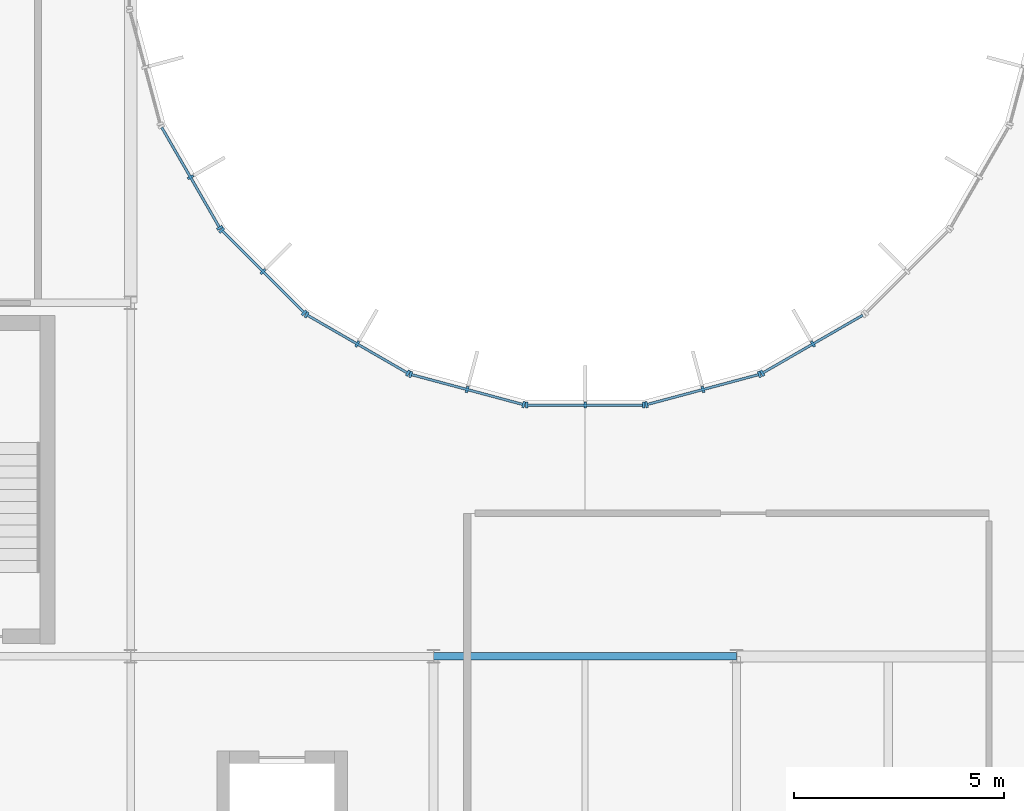
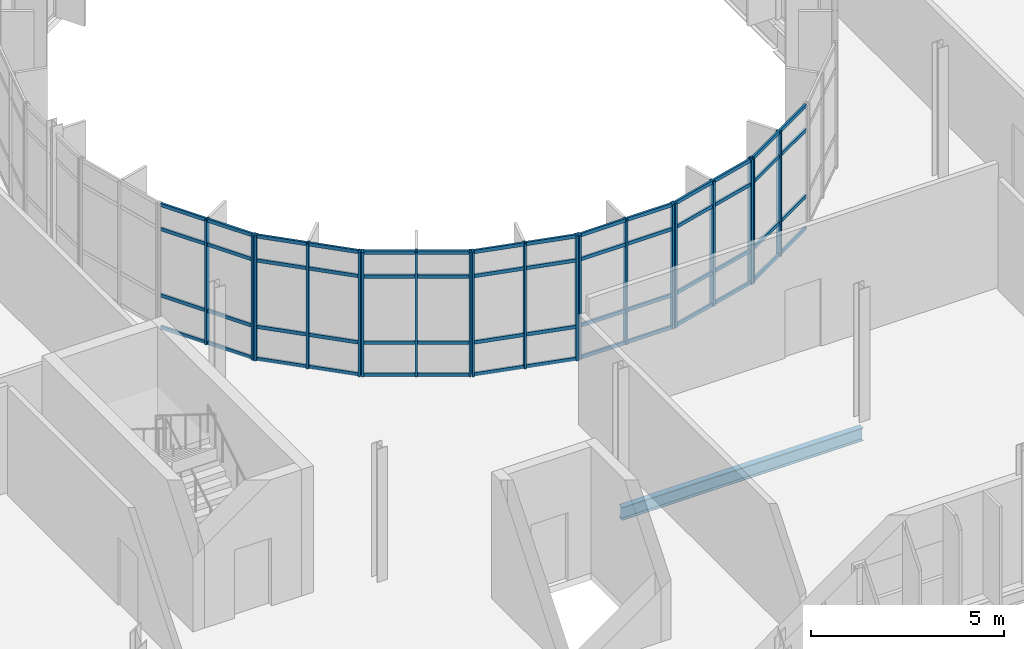
# One storey, part 20 of 61: 47 members, 1 beam, 7 elements without a shape of their own.
"""IFC4 building model written with IfcOpenShell, lengths in metres."""

from ifc_helpers import new_model, si_unit, direction, frame, origin, origin_2d, place, context, subcontext, project, spatial, rectangle, i_section, extrude, material, material_profile, profile_set, type_object, element, aggregate, save


model = new_model("IFC4")

# Units and contexts
model_context = context("Model", 3, precision=1e-05, world=origin(), true_north=direction((0.0, 1.0)))
body_context = subcontext(model_context, "Body", "Model", "MODEL_VIEW")
ifc_project = project(units=[si_unit("LENGTHUNIT", "METRE"), si_unit("AREAUNIT", "SQUARE_METRE"), si_unit("VOLUMEUNIT", "CUBIC_METRE"), si_unit("PLANEANGLEUNIT", "RADIAN"), si_unit("MASSUNIT", "GRAM", prefix="KILO")], contexts=[model_context])

# Site, building, storey
site_placement = place(None, origin())
site = spatial("IfcSite", under=ifc_project, at=site_placement, CompositionType="ELEMENT")
building_placement = place(site_placement, origin())
building = spatial("IfcBuilding", under=site, at=building_placement, Name="Qelthora Terrace Specialist Clinic", CompositionType="ELEMENT")
storey_placement = place(building_placement, frame((0.0, 0.0, 13.199951171875)))
storey = spatial("IfcBuildingStorey", under=building, at=storey_placement, Name="L03", CompositionType="ELEMENT", Elevation=13.199951171875)

# Beam
ifc_material_1 = material(Name="Steel S355", Category="steel")
ifc_material_profile_1 = material_profile(ifc_material_1, i_section(OverallWidth=0.178955078125, OverallDepth=0.409912109375, WebThickness=0.0087890625, FlangeThickness=0.014404296875, FilletRadius=0.011962890625, at=origin_2d()), Name="W410X67")
ifc_profile_set_1 = profile_set([ifc_material_profile_1], Name="Steel S355")
beam_type = type_object("IfcBeamType", Name="BM-W410X67", PredefinedType="BEAM", material=ifc_profile_set_1)
beam_placement = place(storey_placement, frame((21.60009765625, 67.199951171875, -0.454833984375), z_axis=(1.0, 0.0, 0.0), x_axis=(0.0, 1.0, 0.0)))
element("IfcBeam", 1, at=beam_placement, inside=storey, type_object=beam_type, Name="Girder BMX-L03-0952", PredefinedType="BEAM", context=body_context, shape_type="SweptSolid", body=[
    extrude(i_section(OverallWidth=0.178955078125, OverallDepth=0.409912109375, WebThickness=0.0087890625, FlangeThickness=0.014404296875, FilletRadius=0.011962890625, at=origin_2d()), origin(), (0.0, 0.0, 1.0), 7.199951171875),
])

# Curtain wall, members
ifc_material_2 = material(Name="Aluminium anodized bronze", Category="aluminium")
curtain_wall_type = type_object("IfcCurtainWallType", Name="CW-CRTW-UPP", PredefinedType="NOTDEFINED", material=ifc_material_2)
curtain_wall_1_placement = place(storey_placement, origin())
curtain_wall_1 = element("IfcCurtainWall", 2, at=curtain_wall_1_placement, inside=storey, type_object=curtain_wall_type, Name="Curtain wall CW-CW-L03-14", PredefinedType="NOTDEFINED")
ifc_material_profile_2 = material_profile(ifc_material_2, rectangle(XDim=0.06005859375, YDim=0.14990234375, at=origin_2d()), Name="CWM60X150")
ifc_profile_set_2 = profile_set([ifc_material_profile_2], Name="Aluminium anodized bronze")
member_type_1 = type_object("IfcMemberType", Name="CWM-60X150", PredefinedType="MULLION", material=ifc_profile_set_2)
member_1_placement = place(storey_placement, frame((15.822998046875, 78.586181640625, 0.0), z_axis=(0.0, 0.0, 1.0), x_axis=(0.499999597971, -0.866025635896, 0.0)))
member_1 = element("IfcMember", 3, at=member_1_placement, type_object=member_type_1, Name="CW-CW-L03-14 mullion 2", PredefinedType="MULLION", context=body_context, shape_type="SweptSolid", body=[
    extrude(rectangle(XDim=0.06005859375, YDim=0.14990234375, at=origin_2d()), origin(), (0.0, 0.0, 1.0), 3.945068359375),
])
member_2_placement = place(storey_placement, frame((16.517822265625, 77.3828125, 0.0), z_axis=(0.0, 0.0, 1.0), x_axis=(0.499999597971, -0.866025635896, 0.0)))
member_2 = element("IfcMember", 4, at=member_2_placement, type_object=member_type_1, Name="CW-CW-L03-14 mullion 3", PredefinedType="MULLION", context=body_context, shape_type="SweptSolid", body=[
    extrude(rectangle(XDim=0.06005859375, YDim=0.14990234375, at=origin_2d()), origin(), (0.0, 0.0, 1.0), 3.945068359375),
])

curtain_wall_2_placement = place(storey_placement, origin())
curtain_wall_2 = element("IfcCurtainWall", 5, at=curtain_wall_2_placement, inside=storey, type_object=curtain_wall_type, Name="Curtain wall CW-CW-L03-15", PredefinedType="NOTDEFINED")
member_3_placement = place(storey_placement, frame((16.56103515625, 77.326416015625, 0.0), z_axis=(0.0, 0.0, 1.0), x_axis=(0.707106781187, -0.707106781187, 0.0)))
member_3 = element("IfcMember", 6, at=member_3_placement, type_object=member_type_1, Name="CW-CW-L03-15 mullion 1", PredefinedType="MULLION", context=body_context, shape_type="SweptSolid", body=[
    extrude(rectangle(XDim=0.06005859375, YDim=0.14990234375, at=origin_2d()), origin(), (0.0, 0.0, 1.0), 3.945068359375),
])
member_4_placement = place(storey_placement, frame((17.543701171875, 76.34375, 0.0), z_axis=(0.0, 0.0, 1.0), x_axis=(0.707106781187, -0.707106781187, 0.0)))
member_4 = element("IfcMember", 7, at=member_4_placement, type_object=member_type_1, Name="CW-CW-L03-15 mullion 2", PredefinedType="MULLION", context=body_context, shape_type="SweptSolid", body=[
    extrude(rectangle(XDim=0.06005859375, YDim=0.14990234375, at=origin_2d()), origin(), (0.0, 0.0, 1.0), 3.945068359375),
])
member_5_placement = place(storey_placement, frame((18.5263671875, 75.361083984375, 0.0), z_axis=(0.0, 0.0, 1.0), x_axis=(0.707106781187, -0.707106781187, 0.0)))
member_5 = element("IfcMember", 8, at=member_5_placement, type_object=member_type_1, Name="CW-CW-L03-15 mullion 3", PredefinedType="MULLION", context=body_context, shape_type="SweptSolid", body=[
    extrude(rectangle(XDim=0.06005859375, YDim=0.14990234375, at=origin_2d()), origin(), (0.0, 0.0, 1.0), 3.945068359375),
])

curtain_wall_3_placement = place(storey_placement, origin())
curtain_wall_3 = element("IfcCurtainWall", 9, at=curtain_wall_3_placement, inside=storey, type_object=curtain_wall_type, Name="Curtain wall CW-CW-L03-16", PredefinedType="NOTDEFINED")
member_6_placement = place(storey_placement, frame((18.582763671875, 75.31787109375, 0.0), z_axis=(0.0, 0.0, 1.0), x_axis=(0.866025635896, -0.499999597971, 0.0)))
member_6 = element("IfcMember", 10, at=member_6_placement, type_object=member_type_1, Name="CW-CW-L03-16 mullion 1", PredefinedType="MULLION", context=body_context, shape_type="SweptSolid", body=[
    extrude(rectangle(XDim=0.06005859375, YDim=0.14990234375, at=origin_2d()), origin(), (0.0, 0.0, 1.0), 3.945068359375),
])
member_7_placement = place(storey_placement, frame((19.7861328125, 74.623046875, 0.0), z_axis=(0.0, 0.0, 1.0), x_axis=(0.866025635896, -0.499999597971, 0.0)))
member_7 = element("IfcMember", 11, at=member_7_placement, type_object=member_type_1, Name="CW-CW-L03-16 mullion 2", PredefinedType="MULLION", context=body_context, shape_type="SweptSolid", body=[
    extrude(rectangle(XDim=0.06005859375, YDim=0.14990234375, at=origin_2d()), origin(), (0.0, 0.0, 1.0), 3.945068359375),
])
member_8_placement = place(storey_placement, frame((20.98974609375, 73.92822265625, 0.0), z_axis=(0.0, 0.0, 1.0), x_axis=(0.866025635896, -0.499999597971, 0.0)))
member_8 = element("IfcMember", 12, at=member_8_placement, type_object=member_type_1, Name="CW-CW-L03-16 mullion 3", PredefinedType="MULLION", context=body_context, shape_type="SweptSolid", body=[
    extrude(rectangle(XDim=0.06005859375, YDim=0.14990234375, at=origin_2d()), origin(), (0.0, 0.0, 1.0), 3.945068359375),
])

curtain_wall_4_placement = place(storey_placement, origin())
curtain_wall_4 = element("IfcCurtainWall", 13, at=curtain_wall_4_placement, inside=storey, type_object=curtain_wall_type, Name="Curtain wall CW-CW-L03-17", PredefinedType="NOTDEFINED")
member_9_placement = place(storey_placement, frame((21.05517578125, 73.901123046875, 0.0), z_axis=(0.0, 0.0, 1.0), x_axis=(0.96592547477, -0.258820356987, 0.0)))
member_9 = element("IfcMember", 14, at=member_9_placement, type_object=member_type_1, Name="CW-CW-L03-17 mullion 1", PredefinedType="MULLION", context=body_context, shape_type="SweptSolid", body=[
    extrude(rectangle(XDim=0.06005859375, YDim=0.14990234375, at=origin_2d()), origin(), (0.0, 0.0, 1.0), 3.945068359375),
])
member_10_placement = place(storey_placement, frame((22.397705078125, 73.541259765625, 0.0), z_axis=(0.0, 0.0, 1.0), x_axis=(0.96592547477, -0.258820356987, 0.0)))
member_10 = element("IfcMember", 15, at=member_10_placement, type_object=member_type_1, Name="CW-CW-L03-17 mullion 2", PredefinedType="MULLION", context=body_context, shape_type="SweptSolid", body=[
    extrude(rectangle(XDim=0.06005859375, YDim=0.14990234375, at=origin_2d()), origin(), (0.0, 0.0, 1.0), 3.945068359375),
])
member_11_placement = place(storey_placement, frame((23.739990234375, 73.181640625, 0.0), z_axis=(0.0, 0.0, 1.0), x_axis=(0.96592547477, -0.258820356987, 0.0)))
member_11 = element("IfcMember", 16, at=member_11_placement, type_object=member_type_1, Name="CW-CW-L03-17 mullion 3", PredefinedType="MULLION", context=body_context, shape_type="SweptSolid", body=[
    extrude(rectangle(XDim=0.06005859375, YDim=0.14990234375, at=origin_2d()), origin(), (0.0, 0.0, 1.0), 3.945068359375),
])

curtain_wall_5_placement = place(storey_placement, origin())
curtain_wall_5 = element("IfcCurtainWall", 17, at=curtain_wall_5_placement, inside=storey, type_object=curtain_wall_type, Name="Curtain wall CW-CW-L03-18", PredefinedType="NOTDEFINED")
member_12_placement = place(storey_placement, frame((23.810302734375, 73.17236328125, 0.0), z_axis=(0.0, 0.0, 1.0), x_axis=(1.0, 0.0, 0.0)))
member_12 = element("IfcMember", 18, at=member_12_placement, type_object=member_type_1, Name="CW-CW-L03-18 mullion 1", PredefinedType="MULLION", context=body_context, shape_type="SweptSolid", body=[
    extrude(rectangle(XDim=0.06005859375, YDim=0.14990234375, at=origin_2d()), origin(), (0.0, 0.0, 1.0), 3.945068359375),
])
member_13_placement = place(storey_placement, frame((25.199951171875, 73.17236328125, 0.0), z_axis=(0.0, 0.0, 1.0), x_axis=(1.0, 0.0, 0.0)))
member_13 = element("IfcMember", 19, at=member_13_placement, type_object=member_type_1, Name="CW-CW-L03-18 mullion 2", PredefinedType="MULLION", context=body_context, shape_type="SweptSolid", body=[
    extrude(rectangle(XDim=0.06005859375, YDim=0.14990234375, at=origin_2d()), origin(), (0.0, 0.0, 1.0), 3.945068359375),
])
member_14_placement = place(storey_placement, frame((26.589599609375, 73.17236328125, 0.0), z_axis=(0.0, 0.0, 1.0), x_axis=(1.0, 0.0, 0.0)))
member_14 = element("IfcMember", 20, at=member_14_placement, type_object=member_type_1, Name="CW-CW-L03-18 mullion 3", PredefinedType="MULLION", context=body_context, shape_type="SweptSolid", body=[
    extrude(rectangle(XDim=0.06005859375, YDim=0.14990234375, at=origin_2d()), origin(), (0.0, 0.0, 1.0), 3.945068359375),
])

curtain_wall_6_placement = place(storey_placement, origin())
curtain_wall_6 = element("IfcCurtainWall", 21, at=curtain_wall_6_placement, inside=storey, type_object=curtain_wall_type, Name="Curtain wall CW-CW-L03-19", PredefinedType="NOTDEFINED")
member_15_placement = place(storey_placement, frame((26.66015625, 73.181640625, 0.0), z_axis=(0.0, 0.0, 1.0), x_axis=(0.96592547477, 0.258820356987, 0.0)))
member_15 = element("IfcMember", 22, at=member_15_placement, type_object=member_type_1, Name="CW-CW-L03-19 mullion 1", PredefinedType="MULLION", context=body_context, shape_type="SweptSolid", body=[
    extrude(rectangle(XDim=0.06005859375, YDim=0.14990234375, at=origin_2d()), origin(), (0.0, 0.0, 1.0), 3.945068359375),
])
member_16_placement = place(storey_placement, frame((28.00244140625, 73.541259765625, 0.0), z_axis=(0.0, 0.0, 1.0), x_axis=(0.96592547477, 0.258820356987, 0.0)))
member_16 = element("IfcMember", 23, at=member_16_placement, type_object=member_type_1, Name="CW-CW-L03-19 mullion 2", PredefinedType="MULLION", context=body_context, shape_type="SweptSolid", body=[
    extrude(rectangle(XDim=0.06005859375, YDim=0.14990234375, at=origin_2d()), origin(), (0.0, 0.0, 1.0), 3.945068359375),
])
member_17_placement = place(storey_placement, frame((29.3447265625, 73.901123046875, 0.0), z_axis=(0.0, 0.0, 1.0), x_axis=(0.96592547477, 0.258820356987, 0.0)))
member_17 = element("IfcMember", 24, at=member_17_placement, type_object=member_type_1, Name="CW-CW-L03-19 mullion 3", PredefinedType="MULLION", context=body_context, shape_type="SweptSolid", body=[
    extrude(rectangle(XDim=0.06005859375, YDim=0.14990234375, at=origin_2d()), origin(), (0.0, 0.0, 1.0), 3.945068359375),
])

curtain_wall_7_placement = place(storey_placement, origin())
curtain_wall_7 = element("IfcCurtainWall", 25, at=curtain_wall_7_placement, inside=storey, type_object=curtain_wall_type, Name="Curtain wall CW-CW-L03-20", PredefinedType="NOTDEFINED")
member_18_placement = place(storey_placement, frame((29.410400390625, 73.92822265625, 0.0), z_axis=(0.0, 0.0, 1.0), x_axis=(0.866025635896, 0.499999597971, 0.0)))
member_18 = element("IfcMember", 26, at=member_18_placement, type_object=member_type_1, Name="CW-CW-L03-20 mullion 1", PredefinedType="MULLION", context=body_context, shape_type="SweptSolid", body=[
    extrude(rectangle(XDim=0.06005859375, YDim=0.14990234375, at=origin_2d()), origin(), (0.0, 0.0, 1.0), 3.945068359375),
])
member_19_placement = place(storey_placement, frame((30.61376953125, 74.623046875, 0.0), z_axis=(0.0, 0.0, 1.0), x_axis=(0.866025635896, 0.499999597971, 0.0)))
member_19 = element("IfcMember", 27, at=member_19_placement, type_object=member_type_1, Name="CW-CW-L03-20 mullion 2", PredefinedType="MULLION", context=body_context, shape_type="SweptSolid", body=[
    extrude(rectangle(XDim=0.06005859375, YDim=0.14990234375, at=origin_2d()), origin(), (0.0, 0.0, 1.0), 3.945068359375),
])

# Member
ifc_material_profile_3 = material_profile(ifc_material_2, rectangle(XDim=0.06005859375, YDim=0.110107421875, at=origin_2d()), Name="CWT60X110")
ifc_profile_set_3 = profile_set([ifc_material_profile_3], Name="Aluminium anodized bronze")
member_type_2 = type_object("IfcMemberType", Name="CWT-60X110", PredefinedType="USERDEFINED", material=ifc_profile_set_3)
member_20_placement = place(storey_placement, frame((15.13818359375, 79.7724609375, 0.0400390625), z_axis=(0.499953886166, -0.866052025982, 0.0), x_axis=(0.866052025982, 0.499953886166, 0.0)))
member_20 = element("IfcMember", 28, at=member_20_placement, type_object=member_type_2, Name="CW-CW-L03-14 transom 1", ObjectType="TRANSOM", PredefinedType="USERDEFINED", context=body_context, shape_type="SweptSolid", body=[
    extrude(rectangle(XDim=0.06005859375, YDim=0.110107421875, at=origin_2d()), origin(), (0.0, 0.0, 1.0), 2.739501953125),
])

member_21_placement = place(storey_placement, frame((15.13818359375, 79.7724609375, 1.050048828125), z_axis=(0.499953886166, -0.866052025982, 0.0), x_axis=(0.866052025982, 0.499953886166, 0.0)))
member_21 = element("IfcMember", 29, at=member_21_placement, type_object=member_type_2, Name="CW-CW-L03-14 transom 2", ObjectType="TRANSOM", PredefinedType="USERDEFINED", context=body_context, shape_type="SweptSolid", body=[
    extrude(rectangle(XDim=0.06005859375, YDim=0.110107421875, at=origin_2d()), origin(), (0.0, 0.0, 1.0), 2.739501953125),
])

member_22_placement = place(storey_placement, frame((15.13818359375, 79.7724609375, 3.14501953125), z_axis=(0.499953886166, -0.866052025982, 0.0), x_axis=(0.866052025982, 0.499953886166, 0.0)))
member_22 = element("IfcMember", 30, at=member_22_placement, type_object=member_type_2, Name="CW-CW-L03-14 transom 3", ObjectType="TRANSOM", PredefinedType="USERDEFINED", context=body_context, shape_type="SweptSolid", body=[
    extrude(rectangle(XDim=0.06005859375, YDim=0.110107421875, at=origin_2d()), origin(), (0.0, 0.0, 1.0), 2.739501953125),
])

member_23_placement = place(storey_placement, frame((15.13818359375, 79.7724609375, 3.905029296875), z_axis=(0.499953886166, -0.866052025982, 0.0), x_axis=(0.866052025982, 0.499953886166, 0.0)))
member_23 = element("IfcMember", 31, at=member_23_placement, type_object=member_type_2, Name="CW-CW-L03-14 transom 4", ObjectType="TRANSOM", PredefinedType="USERDEFINED", context=body_context, shape_type="SweptSolid", body=[
    extrude(rectangle(XDim=0.06005859375, YDim=0.110107421875, at=origin_2d()), origin(), (0.0, 0.0, 1.0), 2.739501953125),
])

aggregate(curtain_wall_1, [member_1, member_2, member_20, member_21, member_22, member_23])

member_24_placement = place(storey_placement, frame((16.5751953125, 77.312255859375, 0.0400390625), z_axis=(0.707106781187, -0.707106781187, 0.0), x_axis=(0.707106781187, 0.707106781187, 0.0)))
member_24 = element("IfcMember", 32, at=member_24_placement, type_object=member_type_2, Name="CW-CW-L03-15 transom 1", ObjectType="TRANSOM", PredefinedType="USERDEFINED", context=body_context, shape_type="SweptSolid", body=[
    extrude(rectangle(XDim=0.06005859375, YDim=0.110107421875, at=origin_2d()), origin(), (0.0, 0.0, 1.0), 2.7392578125),
])

member_25_placement = place(storey_placement, frame((16.5751953125, 77.312255859375, 1.050048828125), z_axis=(0.707106781187, -0.707106781187, 0.0), x_axis=(0.707106781187, 0.707106781187, 0.0)))
member_25 = element("IfcMember", 33, at=member_25_placement, type_object=member_type_2, Name="CW-CW-L03-15 transom 2", ObjectType="TRANSOM", PredefinedType="USERDEFINED", context=body_context, shape_type="SweptSolid", body=[
    extrude(rectangle(XDim=0.06005859375, YDim=0.110107421875, at=origin_2d()), origin(), (0.0, 0.0, 1.0), 2.7392578125),
])

member_26_placement = place(storey_placement, frame((16.5751953125, 77.312255859375, 3.14501953125), z_axis=(0.707106781187, -0.707106781187, 0.0), x_axis=(0.707106781187, 0.707106781187, 0.0)))
member_26 = element("IfcMember", 34, at=member_26_placement, type_object=member_type_2, Name="CW-CW-L03-15 transom 3", ObjectType="TRANSOM", PredefinedType="USERDEFINED", context=body_context, shape_type="SweptSolid", body=[
    extrude(rectangle(XDim=0.06005859375, YDim=0.110107421875, at=origin_2d()), origin(), (0.0, 0.0, 1.0), 2.7392578125),
])

member_27_placement = place(storey_placement, frame((16.5751953125, 77.312255859375, 3.905029296875), z_axis=(0.707106781187, -0.707106781187, 0.0), x_axis=(0.707106781187, 0.707106781187, 0.0)))
member_27 = element("IfcMember", 35, at=member_27_placement, type_object=member_type_2, Name="CW-CW-L03-15 transom 4", ObjectType="TRANSOM", PredefinedType="USERDEFINED", context=body_context, shape_type="SweptSolid", body=[
    extrude(rectangle(XDim=0.06005859375, YDim=0.110107421875, at=origin_2d()), origin(), (0.0, 0.0, 1.0), 2.7392578125),
])

aggregate(curtain_wall_2, [member_3, member_4, member_5, member_24, member_25, member_26, member_27])

member_28_placement = place(storey_placement, frame((18.60009765625, 75.307861328125, 0.0400390625), z_axis=(0.866029747927, -0.499992475648, 0.0), x_axis=(0.499992475648, 0.866029747927, 0.0)))
member_28 = element("IfcMember", 36, at=member_28_placement, type_object=member_type_2, Name="CW-CW-L03-16 transom 1", ObjectType="TRANSOM", PredefinedType="USERDEFINED", context=body_context, shape_type="SweptSolid", body=[
    extrude(rectangle(XDim=0.06005859375, YDim=0.110107421875, at=origin_2d()), origin(), (0.0, 0.0, 1.0), 2.7392578125),
])

member_29_placement = place(storey_placement, frame((18.60009765625, 75.307861328125, 1.050048828125), z_axis=(0.866029747927, -0.499992475648, 0.0), x_axis=(0.499992475648, 0.866029747927, 0.0)))
member_29 = element("IfcMember", 37, at=member_29_placement, type_object=member_type_2, Name="CW-CW-L03-16 transom 2", ObjectType="TRANSOM", PredefinedType="USERDEFINED", context=body_context, shape_type="SweptSolid", body=[
    extrude(rectangle(XDim=0.06005859375, YDim=0.110107421875, at=origin_2d()), origin(), (0.0, 0.0, 1.0), 2.7392578125),
])

member_30_placement = place(storey_placement, frame((18.60009765625, 75.307861328125, 3.14501953125), z_axis=(0.866029747927, -0.499992475648, 0.0), x_axis=(0.499992475648, 0.866029747927, 0.0)))
member_30 = element("IfcMember", 38, at=member_30_placement, type_object=member_type_2, Name="CW-CW-L03-16 transom 3", ObjectType="TRANSOM", PredefinedType="USERDEFINED", context=body_context, shape_type="SweptSolid", body=[
    extrude(rectangle(XDim=0.06005859375, YDim=0.110107421875, at=origin_2d()), origin(), (0.0, 0.0, 1.0), 2.7392578125),
])

member_31_placement = place(storey_placement, frame((18.60009765625, 75.307861328125, 3.905029296875), z_axis=(0.866029747927, -0.499992475648, 0.0), x_axis=(0.499992475648, 0.866029747927, 0.0)))
member_31 = element("IfcMember", 39, at=member_31_placement, type_object=member_type_2, Name="CW-CW-L03-16 transom 4", ObjectType="TRANSOM", PredefinedType="USERDEFINED", context=body_context, shape_type="SweptSolid", body=[
    extrude(rectangle(XDim=0.06005859375, YDim=0.110107421875, at=origin_2d()), origin(), (0.0, 0.0, 1.0), 2.7392578125),
])

aggregate(curtain_wall_3, [member_6, member_7, member_8, member_28, member_29, member_30, member_31])

member_32_placement = place(storey_placement, frame((21.07470703125, 73.895751953125, 0.0400390625), z_axis=(0.965926569303, -0.258816272122, 0.0), x_axis=(0.258816272122, 0.965926569303, 0.0)))
member_32 = element("IfcMember", 40, at=member_32_placement, type_object=member_type_2, Name="CW-CW-L03-17 transom 1", ObjectType="TRANSOM", PredefinedType="USERDEFINED", context=body_context, shape_type="SweptSolid", body=[
    extrude(rectangle(XDim=0.06005859375, YDim=0.110107421875, at=origin_2d()), origin(), (0.0, 0.0, 1.0), 2.7392578125),
])

member_33_placement = place(storey_placement, frame((21.07470703125, 73.895751953125, 1.050048828125), z_axis=(0.965926569303, -0.258816272122, 0.0), x_axis=(0.258816272122, 0.965926569303, 0.0)))
member_33 = element("IfcMember", 41, at=member_33_placement, type_object=member_type_2, Name="CW-CW-L03-17 transom 2", ObjectType="TRANSOM", PredefinedType="USERDEFINED", context=body_context, shape_type="SweptSolid", body=[
    extrude(rectangle(XDim=0.06005859375, YDim=0.110107421875, at=origin_2d()), origin(), (0.0, 0.0, 1.0), 2.7392578125),
])

member_34_placement = place(storey_placement, frame((21.07470703125, 73.895751953125, 3.14501953125), z_axis=(0.965926569303, -0.258816272122, 0.0), x_axis=(0.258816272122, 0.965926569303, 0.0)))
member_34 = element("IfcMember", 42, at=member_34_placement, type_object=member_type_2, Name="CW-CW-L03-17 transom 3", ObjectType="TRANSOM", PredefinedType="USERDEFINED", context=body_context, shape_type="SweptSolid", body=[
    extrude(rectangle(XDim=0.06005859375, YDim=0.110107421875, at=origin_2d()), origin(), (0.0, 0.0, 1.0), 2.7392578125),
])

member_35_placement = place(storey_placement, frame((21.07470703125, 73.895751953125, 3.905029296875), z_axis=(0.965926569303, -0.258816272122, 0.0), x_axis=(0.258816272122, 0.965926569303, 0.0)))
member_35 = element("IfcMember", 43, at=member_35_placement, type_object=member_type_2, Name="CW-CW-L03-17 transom 4", ObjectType="TRANSOM", PredefinedType="USERDEFINED", context=body_context, shape_type="SweptSolid", body=[
    extrude(rectangle(XDim=0.06005859375, YDim=0.110107421875, at=origin_2d()), origin(), (0.0, 0.0, 1.0), 2.7392578125),
])

aggregate(curtain_wall_4, [member_9, member_10, member_11, member_32, member_33, member_34, member_35])

member_36_placement = place(storey_placement, frame((23.830322265625, 73.17236328125, 0.0400390625), z_axis=(1.0, 0.0, 0.0), x_axis=(0.0, 1.0, 0.0)))
member_36 = element("IfcMember", 44, at=member_36_placement, type_object=member_type_2, Name="CW-CW-L03-18 transom 1", ObjectType="TRANSOM", PredefinedType="USERDEFINED", context=body_context, shape_type="SweptSolid", body=[
    extrude(rectangle(XDim=0.06005859375, YDim=0.110107421875, at=origin_2d()), origin(), (0.0, 0.0, 1.0), 2.7392578125),
])

member_37_placement = place(storey_placement, frame((23.830322265625, 73.17236328125, 1.050048828125), z_axis=(1.0, 0.0, 0.0), x_axis=(0.0, 1.0, 0.0)))
member_37 = element("IfcMember", 45, at=member_37_placement, type_object=member_type_2, Name="CW-CW-L03-18 transom 2", ObjectType="TRANSOM", PredefinedType="USERDEFINED", context=body_context, shape_type="SweptSolid", body=[
    extrude(rectangle(XDim=0.06005859375, YDim=0.110107421875, at=origin_2d()), origin(), (0.0, 0.0, 1.0), 2.7392578125),
])

member_38_placement = place(storey_placement, frame((23.830322265625, 73.17236328125, 3.14501953125), z_axis=(1.0, 0.0, 0.0), x_axis=(0.0, 1.0, 0.0)))
member_38 = element("IfcMember", 46, at=member_38_placement, type_object=member_type_2, Name="CW-CW-L03-18 transom 3", ObjectType="TRANSOM", PredefinedType="USERDEFINED", context=body_context, shape_type="SweptSolid", body=[
    extrude(rectangle(XDim=0.06005859375, YDim=0.110107421875, at=origin_2d()), origin(), (0.0, 0.0, 1.0), 2.7392578125),
])

member_39_placement = place(storey_placement, frame((23.830322265625, 73.17236328125, 3.905029296875), z_axis=(1.0, 0.0, 0.0), x_axis=(0.0, 1.0, 0.0)))
member_39 = element("IfcMember", 47, at=member_39_placement, type_object=member_type_2, Name="CW-CW-L03-18 transom 4", ObjectType="TRANSOM", PredefinedType="USERDEFINED", context=body_context, shape_type="SweptSolid", body=[
    extrude(rectangle(XDim=0.06005859375, YDim=0.110107421875, at=origin_2d()), origin(), (0.0, 0.0, 1.0), 2.7392578125),
])

aggregate(curtain_wall_5, [member_12, member_13, member_14, member_36, member_37, member_38, member_39])

member_40_placement = place(storey_placement, frame((26.679443359375, 73.186767578125, 0.0400390625), z_axis=(0.965926569303, 0.258816272122, 0.0), x_axis=(-0.258816272122, 0.965926569303, 0.0)))
member_40 = element("IfcMember", 48, at=member_40_placement, type_object=member_type_2, Name="CW-CW-L03-19 transom 1", ObjectType="TRANSOM", PredefinedType="USERDEFINED", context=body_context, shape_type="SweptSolid", body=[
    extrude(rectangle(XDim=0.06005859375, YDim=0.110107421875, at=origin_2d()), origin(), (0.0, 0.0, 1.0), 2.7392578125),
])

member_41_placement = place(storey_placement, frame((26.679443359375, 73.186767578125, 1.050048828125), z_axis=(0.965926569303, 0.258816272122, 0.0), x_axis=(-0.258816272122, 0.965926569303, 0.0)))
member_41 = element("IfcMember", 49, at=member_41_placement, type_object=member_type_2, Name="CW-CW-L03-19 transom 2", ObjectType="TRANSOM", PredefinedType="USERDEFINED", context=body_context, shape_type="SweptSolid", body=[
    extrude(rectangle(XDim=0.06005859375, YDim=0.110107421875, at=origin_2d()), origin(), (0.0, 0.0, 1.0), 2.7392578125),
])

member_42_placement = place(storey_placement, frame((26.679443359375, 73.186767578125, 3.14501953125), z_axis=(0.965926569303, 0.258816272122, 0.0), x_axis=(-0.258816272122, 0.965926569303, 0.0)))
member_42 = element("IfcMember", 50, at=member_42_placement, type_object=member_type_2, Name="CW-CW-L03-19 transom 3", ObjectType="TRANSOM", PredefinedType="USERDEFINED", context=body_context, shape_type="SweptSolid", body=[
    extrude(rectangle(XDim=0.06005859375, YDim=0.110107421875, at=origin_2d()), origin(), (0.0, 0.0, 1.0), 2.7392578125),
])

member_43_placement = place(storey_placement, frame((26.679443359375, 73.186767578125, 3.905029296875), z_axis=(0.965926569303, 0.258816272122, 0.0), x_axis=(-0.258816272122, 0.965926569303, 0.0)))
member_43 = element("IfcMember", 51, at=member_43_placement, type_object=member_type_2, Name="CW-CW-L03-19 transom 4", ObjectType="TRANSOM", PredefinedType="USERDEFINED", context=body_context, shape_type="SweptSolid", body=[
    extrude(rectangle(XDim=0.06005859375, YDim=0.110107421875, at=origin_2d()), origin(), (0.0, 0.0, 1.0), 2.7392578125),
])

aggregate(curtain_wall_6, [member_15, member_16, member_17, member_40, member_41, member_42, member_43])

member_44_placement = place(storey_placement, frame((29.427734375, 73.938232421875, 0.0400390625), z_axis=(0.866029747927, 0.499992475648, 0.0), x_axis=(-0.499992475648, 0.866029747927, 0.0)))
member_44 = element("IfcMember", 52, at=member_44_placement, type_object=member_type_2, Name="CW-CW-L03-20 transom 1", ObjectType="TRANSOM", PredefinedType="USERDEFINED", context=body_context, shape_type="SweptSolid", body=[
    extrude(rectangle(XDim=0.06005859375, YDim=0.110107421875, at=origin_2d()), origin(), (0.0, 0.0, 1.0), 2.7392578125),
])

member_45_placement = place(storey_placement, frame((29.427734375, 73.938232421875, 1.050048828125), z_axis=(0.866029747927, 0.499992475648, 0.0), x_axis=(-0.499992475648, 0.866029747927, 0.0)))
member_45 = element("IfcMember", 53, at=member_45_placement, type_object=member_type_2, Name="CW-CW-L03-20 transom 2", ObjectType="TRANSOM", PredefinedType="USERDEFINED", context=body_context, shape_type="SweptSolid", body=[
    extrude(rectangle(XDim=0.06005859375, YDim=0.110107421875, at=origin_2d()), origin(), (0.0, 0.0, 1.0), 2.7392578125),
])

member_46_placement = place(storey_placement, frame((29.427734375, 73.938232421875, 3.14501953125), z_axis=(0.866029747927, 0.499992475648, 0.0), x_axis=(-0.499992475648, 0.866029747927, 0.0)))
member_46 = element("IfcMember", 54, at=member_46_placement, type_object=member_type_2, Name="CW-CW-L03-20 transom 3", ObjectType="TRANSOM", PredefinedType="USERDEFINED", context=body_context, shape_type="SweptSolid", body=[
    extrude(rectangle(XDim=0.06005859375, YDim=0.110107421875, at=origin_2d()), origin(), (0.0, 0.0, 1.0), 2.7392578125),
])

member_47_placement = place(storey_placement, frame((29.427734375, 73.938232421875, 3.905029296875), z_axis=(0.866029747927, 0.499992475648, 0.0), x_axis=(-0.499992475648, 0.866029747927, 0.0)))
member_47 = element("IfcMember", 55, at=member_47_placement, type_object=member_type_2, Name="CW-CW-L03-20 transom 4", ObjectType="TRANSOM", PredefinedType="USERDEFINED", context=body_context, shape_type="SweptSolid", body=[
    extrude(rectangle(XDim=0.06005859375, YDim=0.110107421875, at=origin_2d()), origin(), (0.0, 0.0, 1.0), 2.7392578125),
])

aggregate(curtain_wall_7, [member_18, member_19, member_44, member_45, member_46, member_47])

save(model, "model.ifc")
